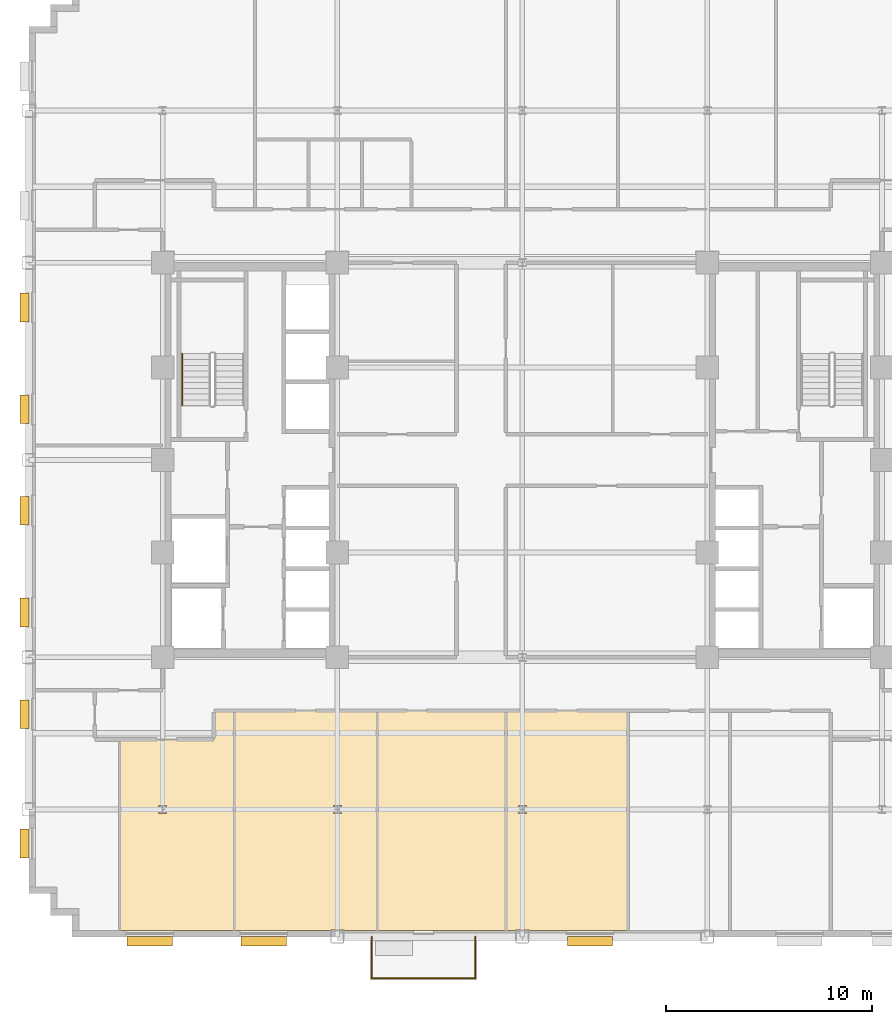
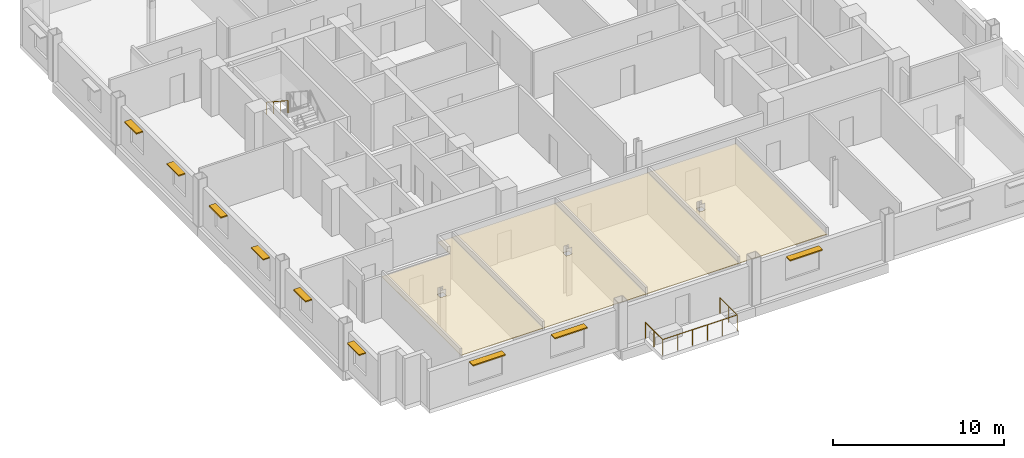
# One storey, part 11 of 14: 9 shading devices, 4 coverings, 2 railings.
"""IFC4 building model written with IfcOpenShell, lengths in metres."""

from ifc_helpers import new_model, si_unit, direction, frame, origin, origin_2d, place, context, subcontext, project, spatial, polyline, rectangle, circle, outline, extrude, source, transform, mapped, material, layer, layer_set, type_object, type_shapes, element, save


model = new_model("IFC4")

# Units and contexts
model_context = context("Model", 3, precision=1e-05, world=origin(), true_north=direction((0.0, 1.0)))
body_context = subcontext(model_context, "Body", "Model", "MODEL_VIEW")
ifc_project = project(units=[si_unit("LENGTHUNIT", "METRE"), si_unit("AREAUNIT", "SQUARE_METRE"), si_unit("VOLUMEUNIT", "CUBIC_METRE"), si_unit("PLANEANGLEUNIT", "RADIAN"), si_unit("MASSUNIT", "GRAM", prefix="KILO")], contexts=[model_context])

# Site, building, storey
site_placement = place(None, origin())
site = spatial("IfcSite", under=ifc_project, at=site_placement, CompositionType="ELEMENT")
building_placement = place(site_placement, origin())
building = spatial("IfcBuilding", under=site, at=building_placement, Name="Nuvemarco Arch Tower", CompositionType="ELEMENT")
storey_placement = place(building_placement, frame((0.0, 0.0, 101.949951171875)))
storey = spatial("IfcBuildingStorey", under=building, at=storey_placement, Name="L26", CompositionType="ELEMENT", Elevation=101.949951171875)

# Coverings
ifc_material_1 = material(Name="Mineral acoustic ceiling tile")
ifc_layer = layer(ifc_material_1, 0.0400390625, Name="COV-ACOUSTIC-CLG")
ifc_layer_set = layer_set([ifc_layer], Name="Mineral acoustic ceiling tile")
covering_type = type_object("IfcCoveringType", Name="COV-ACOUSTIC-CLG", PredefinedType="CEILING", material=ifc_layer_set)
covering_1_placement = place(storey_placement, frame((0.0, 0.0, 2.85009765625)))
element("IfcCovering", 1, at=covering_1_placement, inside=storey, type_object=covering_type, Name="L26 suspended acoustic ceiling 4", PredefinedType="CEILING", context=body_context, shape_type="SweptSolid", body=[
    extrude(outline(polyline([(-8.659912109375, -22.8798828125), (-8.659912109375, -22.860107421875), (-9.340087890625, -22.860107421875), (-9.340087890625, -22.8798828125), (-14.02001953125, -22.8798828125), (-14.02001953125, -12.199951171875), (-7.06005859375, -12.199951171875), (-7.06005859375, -22.8798828125), (-8.659912109375, -22.8798828125)]), holes=[polyline([(-8.804931640625, -17.195068359375), (-8.804931640625, -16.804931640625), (-9.195068359375, -16.804931640625), (-9.195068359375, -17.195068359375), (-8.804931640625, -17.195068359375)])]), origin(), (0.0, 0.0, 1.0), 0.0400390625),
])
covering_2_placement = place(storey_placement, frame((0.0, 0.0, 2.85009765625)))
element("IfcCovering", 2, at=covering_2_placement, inside=storey, type_object=covering_type, Name="L26 suspended acoustic ceiling 5", PredefinedType="CEILING", context=body_context, shape_type="SweptSolid", body=[
    extrude(outline(polyline([(-0.800048828125, -22.8798828125), (-7.06005859375, -22.8798828125), (-7.06005859375, -12.199951171875), (-3.199951171875, -12.199951171875), (-0.800048828125, -12.199951171875), (-0.800048828125, -22.8798828125)])), origin(), (0.0, 0.0, 1.0), 0.0400390625),
])
covering_3_placement = place(storey_placement, frame((0.0, 0.0, 2.85009765625)))
element("IfcCovering", 3, at=covering_3_placement, inside=storey, type_object=covering_type, Name="L26 suspended acoustic ceiling 6", PredefinedType="CEILING", context=body_context, shape_type="SweptSolid", body=[
    extrude(outline(polyline([(0.340087890625, -22.8798828125), (0.340087890625, -22.860107421875), (-0.340087890625, -22.860107421875), (-0.340087890625, -22.8798828125), (-0.800048828125, -22.8798828125), (-0.800048828125, -12.199951171875), (5.14990234375, -12.199951171875), (5.14990234375, -22.8798828125), (0.340087890625, -22.8798828125)]), holes=[polyline([(0.195068359375, -17.195068359375), (0.195068359375, -16.804931640625), (-0.195068359375, -16.804931640625), (-0.195068359375, -17.195068359375), (0.195068359375, -17.195068359375)])]), origin(), (0.0, 0.0, 1.0), 0.0400390625),
])
covering_4_placement = place(storey_placement, frame((0.0, 0.0, 2.85009765625)))
element("IfcCovering", 4, at=covering_4_placement, inside=storey, type_object=covering_type, Name="L26 suspended acoustic ceiling 7", PredefinedType="CEILING", context=body_context, shape_type="SweptSolid", body=[
    extrude(outline(polyline([(-14.02001953125, -12.199951171875), (-14.02001953125, -22.8798828125), (-19.590087890625, -22.8798828125), (-19.590087890625, -13.60009765625), (-15.0, -13.60009765625), (-15.0, -12.199951171875), (-14.02001953125, -12.199951171875)]), holes=[polyline([(-17.304931640625, -16.804931640625), (-17.695068359375, -16.804931640625), (-17.695068359375, -17.195068359375), (-17.304931640625, -17.195068359375), (-17.304931640625, -16.804931640625)])]), origin(), (0.0, 0.0, 1.0), 0.0400390625),
])

# Railings
ifc_material_2 = material(Name="Brushed stainless steel handrail", Category="steel")
railing_type_1 = type_object("IfcRailingType", Name="RL-HANDRAIL-900", PredefinedType="HANDRAIL", material=ifc_material_2)
railing_1_placement = place(storey_placement, frame((-16.550048828125, 5.169921875, 2.007568359375)))
element("IfcRailing", 5, at=railing_1_placement, inside=storey, type_object=railing_type_1, Name="L26 ST-1 stair handrail 2", PredefinedType="HANDRAIL", context=body_context, shape_type="SweptSolid", body=[
    extrude(circle(Radius=0.02392578125, at=origin_2d()), frame((0.0, 0.0, 0.8759765625), z_axis=(0.0, -0.837749427056, 0.546054848405), x_axis=(1.0, 0.0, 0.0)), (0.0, 0.0, 1.0), 3.008056640625),
    extrude(circle(Radius=0.02099609375, at=origin_2d()), origin(), (0.0, 0.0, 1.0), 0.851806640625),
    extrude(circle(Radius=0.02099609375, at=origin_2d()), frame((0.0, -0.840087890625, 0.547607421875)), (0.0, 0.0, 1.0), 0.851806640625),
    extrude(circle(Radius=0.02099609375, at=origin_2d()), frame((0.0, -1.679931640625, 1.094970703125)), (0.0, 0.0, 1.0), 0.851806640625),
    extrude(circle(Radius=0.02099609375, at=origin_2d()), frame((0.0, -2.52001953125, 1.642578125)), (0.0, 0.0, 1.0), 0.851806640625),
])
ifc_material_3 = material(Name="Dark anodised balustrade steel S355", Category="steel")
railing_type_2 = type_object("IfcRailingType", Name="RL-TERR-GUARD", PredefinedType="BALUSTRADE", material=ifc_material_3)
railing_2_placement = place(storey_placement, frame((-7.320068359375, -23.199951171875, 0.0)))
element("IfcRailing", 6, at=railing_2_placement, inside=storey, type_object=railing_type_2, Name="L26 tree balcony perimeter balustrade guard", PredefinedType="BALUSTRADE", context=body_context, shape_type="SweptSolid", body=[
    extrude(circle(Radius=0.02392578125, at=origin_2d()), frame((0.0, 0.0, 1.1259765625), z_axis=(0.0, -1.0, 0.0), x_axis=(1.0, 0.0, 0.0)), (0.0, 0.0, 1.0), 2.02001953125),
    extrude(circle(Radius=0.02392578125, at=origin_2d()), frame((0.0, -2.02001953125, 1.1259765625), z_axis=(1.0, 0.0, 0.0), x_axis=(0.0, 1.0, 0.0)), (0.0, 0.0, 1.0), 5.0400390625),
    extrude(circle(Radius=0.02392578125, at=origin_2d()), frame((5.0400390625, -2.02001953125, 1.1259765625), z_axis=(0.0, 1.0, 0.0), x_axis=(-1.0, 0.0, 0.0)), (0.0, 0.0, 1.0), 2.02001953125),
    extrude(circle(Radius=0.02099609375, at=origin_2d()), origin(), (0.0, 0.0, 1.0), 1.101806640625),
    extrude(circle(Radius=0.02099609375, at=origin_2d()), frame((0.0, -1.010009765625, 0.0)), (0.0, 0.0, 1.0), 1.101806640625),
    extrude(circle(Radius=0.02099609375, at=origin_2d()), frame((0.0, -2.02001953125, 0.0)), (0.0, 0.0, 1.0), 1.101806640625),
    extrude(circle(Radius=0.02099609375, at=origin_2d()), frame((1.008056640625, -2.02001953125, 0.0)), (0.0, 0.0, 1.0), 1.101806640625),
    extrude(circle(Radius=0.02099609375, at=origin_2d()), frame((2.01611328125, -2.02001953125, 0.0)), (0.0, 0.0, 1.0), 1.101806640625),
    extrude(circle(Radius=0.02099609375, at=origin_2d()), frame((3.02392578125, -2.02001953125, 0.0)), (0.0, 0.0, 1.0), 1.101806640625),
    extrude(circle(Radius=0.02099609375, at=origin_2d()), frame((4.031982421875, -2.02001953125, 0.0)), (0.0, 0.0, 1.0), 1.101806640625),
    extrude(circle(Radius=0.02099609375, at=origin_2d()), frame((5.0400390625, -2.02001953125, 0.0)), (0.0, 0.0, 1.0), 1.101806640625),
    extrude(circle(Radius=0.02099609375, at=origin_2d()), frame((5.0400390625, -1.010009765625, 0.0)), (0.0, 0.0, 1.0), 1.101806640625),
    extrude(circle(Radius=0.02099609375, at=origin_2d()), frame((5.0400390625, 0.0, 0.0)), (0.0, 0.0, 1.0), 1.101806640625),
])

# Shading devices
ifc_material_4 = material(Name="Anodised aluminium 6063-T6", Category="aluminium")
shading_device_type_1 = type_object("IfcShadingDeviceType", Name="SHD-BRISE-SOLEIL", PredefinedType="USERDEFINED", material=ifc_material_4)
shared_shape_1 = source(origin(), body_context, "Body", "SweptSolid", [
    extrude(rectangle(XDim=2.199951171875, YDim=0.449951171875, at=origin_2d()), origin(), (0.0, 0.0, 1.0), 0.080078125),
])
type_shapes(shading_device_type_1, [shared_shape_1])
for number, where, z_axis, x_axis, name in (
    (7, (-18.127685546875, -23.4150390625, 2.425048828125), (0.0, 0.0, 1.0), (1.0, 0.0, 0.0), "L26 horizontal brise-soleil sunshade"),
    (8, (-12.583251953125, -23.4150390625, 2.425048828125), (0.0, 0.0, 1.0), (1.0, 0.0, 0.0), "L26 horizontal brise-soleil sunshade"),
    (9, (3.29443359375, -23.4150390625, 2.425048828125), (0.0, 0.0, 1.0), (1.0, 0.0, 0.0), "L26 horizontal brise-soleil sunshade"),
):
    element("IfcShadingDevice", number, at=place(storey_placement, frame(where, z_axis=z_axis, x_axis=x_axis)), inside=storey, type_object=shading_device_type_1, Name=name, ObjectType="SUNSHADE", PredefinedType="USERDEFINED", context=body_context, shape_type="MappedRepresentation", body=[
        mapped(shared_shape_1, transform((0.0, 0.0, 0.0), scale=1.0)),
    ])
shading_device_type_2 = type_object("IfcShadingDeviceType", Name="SHD-BRISE-NARROW", PredefinedType="USERDEFINED", material=ifc_material_4)
shared_shape_2 = source(origin(), body_context, "Body", "SweptSolid", [
    extrude(rectangle(XDim=1.39990234375, YDim=0.449951171875, at=origin_2d()), origin(), (0.0, 0.0, 1.0), 0.080078125),
])
type_shapes(shading_device_type_2, [shared_shape_2])
for number, where, z_axis, x_axis, name in (
    (10, (-24.215087890625, -18.660888671875, 2.405029296875), (0.0, 0.0, 1.0), (0.0, 1.0, 0.0), "L26 horizontal brise-soleil sunshade"),
    (11, (-24.215087890625, -12.364990234375, 2.405029296875), (0.0, 0.0, 1.0), (0.0, 1.0, 0.0), "L26 horizontal brise-soleil sunshade"),
    (12, (-24.215087890625, -7.4189453125, 2.405029296875), (0.0, 0.0, 1.0), (0.0, 1.0, 0.0), "L26 horizontal brise-soleil sunshade"),
    (13, (-24.215087890625, -2.472900390625, 2.405029296875), (0.0, 0.0, 1.0), (0.0, 1.0, 0.0), "L26 horizontal brise-soleil sunshade"),
    (14, (-24.215087890625, 2.472900390625, 2.405029296875), (0.0, 0.0, 1.0), (0.0, 1.0, 0.0), "L26 horizontal brise-soleil sunshade"),
    (15, (-24.215087890625, 7.4189453125, 2.405029296875), (0.0, 0.0, 1.0), (0.0, 1.0, 0.0), "L26 horizontal brise-soleil sunshade"),
):
    element("IfcShadingDevice", number, at=place(storey_placement, frame(where, z_axis=z_axis, x_axis=x_axis)), inside=storey, type_object=shading_device_type_2, Name=name, ObjectType="SUNSHADE", PredefinedType="USERDEFINED", context=body_context, shape_type="MappedRepresentation", body=[
        mapped(shared_shape_2, transform((0.0, 0.0, 0.0), scale=1.0)),
    ])

save(model, "model.ifc")
